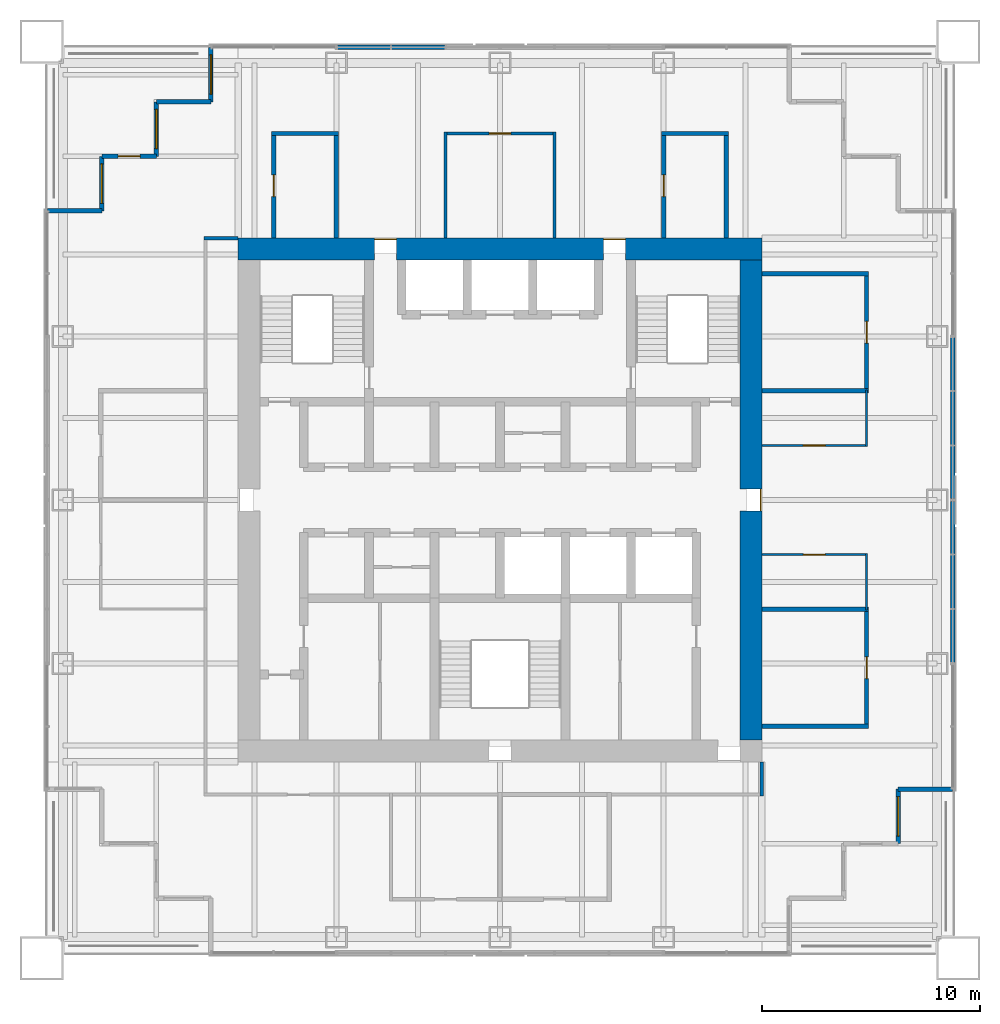
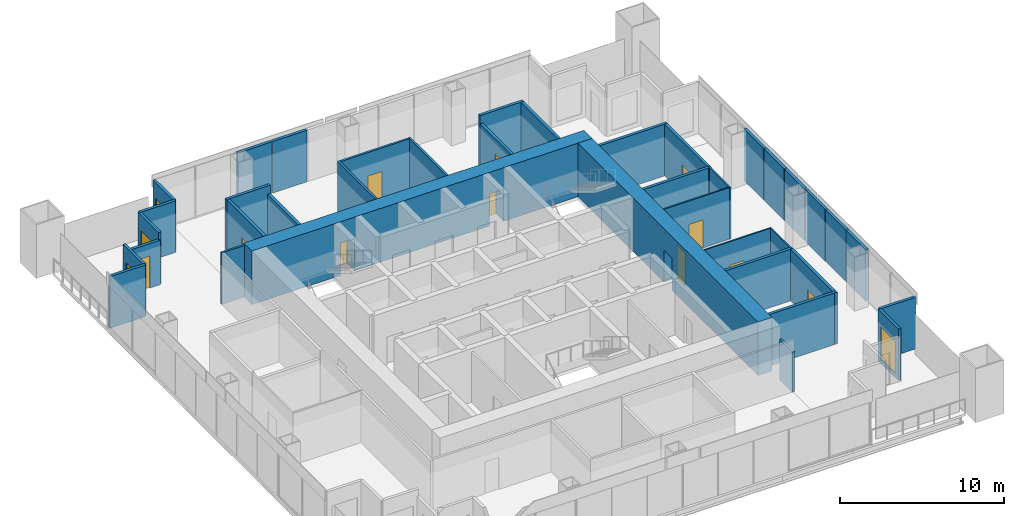
# One storey, part 11 of 14: 39 walls, 11 doors, 4 windows, 15 openings.
"""IFC4 building model written with IfcOpenShell, lengths in metres."""

from ifc_helpers import new_model, si_unit, direction, frame, frame_2d, origin, place, context, subcontext, project, spatial, rectangle, extrude, material, layer, layer_set, type_object, element, fill, save


model = new_model("IFC4")

# Units and contexts
model_context = context("Model", 3, precision=1e-05, world=origin(), true_north=direction((0.0, 1.0)))
body_context = subcontext(model_context, "Body", "Model", "MODEL_VIEW")
ifc_project = project(units=[si_unit("LENGTHUNIT", "METRE"), si_unit("AREAUNIT", "SQUARE_METRE"), si_unit("VOLUMEUNIT", "CUBIC_METRE"), si_unit("PLANEANGLEUNIT", "RADIAN"), si_unit("MASSUNIT", "GRAM", prefix="KILO")], contexts=[model_context])

# Site, building, storey
site_placement = place(None, origin())
site = spatial("IfcSite", under=ifc_project, at=site_placement, CompositionType="ELEMENT")
building_placement = place(site_placement, origin())
building = spatial("IfcBuilding", under=site, at=building_placement, Name="Tarangal Relay Tower", CompositionType="ELEMENT")
storey_placement = place(building_placement, frame((0.0, 0.0, 311.89990234375)))
storey = spatial("IfcBuildingStorey", under=building, at=storey_placement, Name="L69", CompositionType="ELEMENT", Elevation=311.89990234375)

# Walls
ifc_material_1 = material(Name="Two layers gypsum board each side on twin steel studs, mineral wool", Category="steel")
ifc_layer_1 = layer(ifc_material_1, 0.199951171875)
ifc_layer_set_1 = layer_set([ifc_layer_1], Name="Acoustic partition 200")
wall_type_1 = type_object("IfcWallType", Name="Acoustic partition 200", PredefinedType="PARTITIONING", material=ifc_layer_set_1)
for number, where, z_axis, x_axis, name in (
    (1, (12.0, -10.375, 0.0), (0.0, 0.0, 1.0), (1.0, 0.0, 0.0), "Partition PT2 L69"),
    (2, (12.0, -5.0, 0.0), (0.0, 0.0, 1.0), (1.0, 0.0, 0.0), "Partition PT2 L69"),
    (3, (12.0, 5.0, 0.0), (0.0, 0.0, 1.0), (1.0, 0.0, 0.0), "Partition PT2 L69"),
    (4, (12.0, 10.375, 0.0), (0.0, 0.0, 1.0), (1.0, 0.0, 0.0), "Partition PT2 L69"),
):
    element("IfcWall", number, at=place(storey_placement, frame(where, z_axis=z_axis, x_axis=x_axis)), inside=storey, type_object=wall_type_1, Name=name, PredefinedType="PARTITIONING", context=body_context, shape_type="SweptSolid", body=[
        extrude(rectangle(XDim=4.89990234375, YDim=0.199951171875, at=frame_2d((2.449951171875, 0.0))), origin(), (0.0, 0.0, 1.0), 3.85009765625),
    ])
for number, where, z_axis, x_axis, name in (
    (5, (-10.47509765625, 16.800048828125, 0.0), (0.0, 0.0, 1.0), (1.0, 0.0, 0.0), "Partition PT2 L69"),
    (6, (7.39990234375, 16.800048828125, 0.0), (0.0, 0.0, 1.0), (1.0, 0.0, 0.0), "Partition PT2 L69"),
):
    element("IfcWall", number, at=place(storey_placement, frame(where, z_axis=z_axis, x_axis=x_axis)), inside=storey, type_object=wall_type_1, Name=name, PredefinedType="PARTITIONING", context=body_context, shape_type="SweptSolid", body=[
        extrude(rectangle(XDim=3.0751953125, YDim=0.199951171875, at=frame_2d((1.53759765625, 0.0))), origin(), (0.0, 0.0, 1.0), 3.85009765625),
    ])

# Wall, opening, door
wall_1_placement = place(storey_placement, frame((-10.375, 12.0, 0.0), z_axis=(0.0, 0.0, 1.0), x_axis=(0.0, 1.0, 0.0)))
wall_1 = element("IfcWall", 7, at=wall_1_placement, inside=storey, type_object=wall_type_1, Name="Partition PT2 L69", PredefinedType="PARTITIONING", context=body_context, shape_type="SweptSolid", body=[
    extrude(rectangle(XDim=4.89990234375, YDim=0.199951171875, at=frame_2d((2.449951171875, 0.0))), origin(), (0.0, 0.0, 1.0), 3.85009765625),
])
opening_1_placement = place(wall_1_placement, frame((1.89990234375, 0.0, 0.0)))
opening_1 = element("IfcOpeningElement", 8, at=opening_1_placement, cuts=wall_1, Name="Opening D2", PredefinedType="OPENING", context=body_context, shape_type="SweptSolid", body=[
    extrude(rectangle(XDim=1.0, YDim=2.10009765625, at=frame_2d((0.5, 1.050048828125))), frame((0.0, 0.10986328125, 0.0), z_axis=(0.0, -1.0, 0.0), x_axis=(1.0, 0.0, 0.0)), (0.0, 0.0, 1.0), 0.219970703125),
])
ifc_material_2 = material(Name="Hardwood door", Category="wood")
door_type_1 = type_object("IfcDoorType", Name="Door 1000 x 2100", OperationType="SINGLE_SWING_LEFT", PredefinedType="DOOR", material=ifc_material_2)
door_1_placement = place(opening_1_placement, origin())
door_1 = element("IfcDoor", 9, at=door_1_placement, inside=storey, type_object=door_type_1, Name="Door D2 to phone room L69-02", OperationType="SINGLE_SWING_LEFT", OverallHeight=2.10009765625, OverallWidth=1.0, PredefinedType="DOOR", context=body_context, shape_type="SweptSolid", body=[
    extrude(rectangle(XDim=1.0, YDim=2.10009765625, at=frame_2d((0.5, 1.050048828125))), frame((0.0, 0.02490234375, 0.0), z_axis=(0.0, -1.0, 0.0), x_axis=(1.0, 0.0, 0.0)), (0.0, 0.0, 1.0), 0.050048828125),
])
fill(opening_1, door_1)

# Wall
wall_2_placement = place(storey_placement, frame((-7.5, 12.0, 0.0), z_axis=(0.0, 0.0, 1.0), x_axis=(0.0, 1.0, 0.0)))
element("IfcWall", 10, at=wall_2_placement, inside=storey, type_object=wall_type_1, Name="Partition PT2 L69", PredefinedType="PARTITIONING", context=body_context, shape_type="SweptSolid", body=[
    extrude(rectangle(XDim=4.89990234375, YDim=0.199951171875, at=frame_2d((2.449951171875, 0.0))), origin(), (0.0, 0.0, 1.0), 3.2431640625),
])

# Wall, opening, door
wall_3_placement = place(storey_placement, frame((7.5, 12.0, 0.0), z_axis=(0.0, 0.0, 1.0), x_axis=(0.0, 1.0, 0.0)))
wall_3 = element("IfcWall", 11, at=wall_3_placement, inside=storey, type_object=wall_type_1, Name="Partition PT2 L69", PredefinedType="PARTITIONING", context=body_context, shape_type="SweptSolid", body=[
    extrude(rectangle(XDim=4.89990234375, YDim=0.199951171875, at=frame_2d((2.449951171875, 0.0))), origin(), (0.0, 0.0, 1.0), 3.2431640625),
])
opening_2_placement = place(wall_3_placement, frame((1.89990234375, 0.0, 0.0)))
opening_2 = element("IfcOpeningElement", 12, at=opening_2_placement, cuts=wall_3, Name="Opening D2", PredefinedType="OPENING", context=body_context, shape_type="SweptSolid", body=[
    extrude(rectangle(XDim=1.0, YDim=2.10009765625, at=frame_2d((0.5, 1.050048828125))), frame((0.0, 0.10986328125, 0.0), z_axis=(0.0, -1.0, 0.0), x_axis=(1.0, 0.0, 0.0)), (0.0, 0.0, 1.0), 0.219970703125),
])
door_2_placement = place(opening_2_placement, origin())
door_2 = element("IfcDoor", 13, at=door_2_placement, inside=storey, type_object=door_type_1, Name="Door D2 to phone room L69-04", OperationType="SINGLE_SWING_LEFT", OverallHeight=2.10009765625, OverallWidth=1.0, PredefinedType="DOOR", context=body_context, shape_type="SweptSolid", body=[
    extrude(rectangle(XDim=1.0, YDim=2.10009765625, at=frame_2d((0.5, 1.050048828125))), frame((0.0, 0.02490234375, 0.0), z_axis=(0.0, -1.0, 0.0), x_axis=(1.0, 0.0, 0.0)), (0.0, 0.0, 1.0), 0.050048828125),
])
fill(opening_2, door_2)

# Wall
wall_4_placement = place(storey_placement, frame((10.375, 12.0, 0.0), z_axis=(0.0, 0.0, 1.0), x_axis=(0.0, 1.0, 0.0)))
element("IfcWall", 14, at=wall_4_placement, inside=storey, type_object=wall_type_1, Name="Partition PT2 L69", PredefinedType="PARTITIONING", context=body_context, shape_type="SweptSolid", body=[
    extrude(rectangle(XDim=4.89990234375, YDim=0.199951171875, at=frame_2d((2.449951171875, 0.0))), origin(), (0.0, 0.0, 1.0), 3.85009765625),
])

# Wall, opening, door
wall_5_placement = place(storey_placement, frame((16.800048828125, -10.47509765625, 0.0), z_axis=(0.0, 0.0, 1.0), x_axis=(0.0, 1.0, 0.0)))
wall_5 = element("IfcWall", 15, at=wall_5_placement, inside=storey, type_object=wall_type_1, Name="Partition PT2 L69", PredefinedType="PARTITIONING", context=body_context, shape_type="SweptSolid", body=[
    extrude(rectangle(XDim=5.5751953125, YDim=0.199951171875, at=frame_2d((2.78759765625, 0.0))), origin(), (0.0, 0.0, 1.0), 3.85009765625),
])
opening_3_placement = place(wall_5_placement, frame((2.28759765625, 0.0, 0.0)))
opening_3 = element("IfcOpeningElement", 16, at=opening_3_placement, cuts=wall_5, Name="Opening D2", PredefinedType="OPENING", context=body_context, shape_type="SweptSolid", body=[
    extrude(rectangle(XDim=1.0, YDim=2.10009765625, at=frame_2d((0.5, 1.050048828125))), frame((0.0, 0.10986328125, 0.0), z_axis=(0.0, -1.0, 0.0), x_axis=(1.0, 0.0, 0.0)), (0.0, 0.0, 1.0), 0.219970703125),
])
door_3_placement = place(opening_3_placement, origin())
door_3 = element("IfcDoor", 17, at=door_3_placement, inside=storey, type_object=door_type_1, Name="Door D2 to meeting room L69-08", OperationType="SINGLE_SWING_LEFT", OverallHeight=2.10009765625, OverallWidth=1.0, PredefinedType="DOOR", context=body_context, shape_type="SweptSolid", body=[
    extrude(rectangle(XDim=1.0, YDim=2.10009765625, at=frame_2d((0.5, 1.050048828125))), frame((0.0, 0.02490234375, 0.0), z_axis=(0.0, -1.0, 0.0), x_axis=(1.0, 0.0, 0.0)), (0.0, 0.0, 1.0), 0.050048828125),
])
fill(opening_3, door_3)

wall_6_placement = place(storey_placement, frame((16.800048828125, 4.89990234375, 0.0), z_axis=(0.0, 0.0, 1.0), x_axis=(0.0, 1.0, 0.0)))
wall_6 = element("IfcWall", 18, at=wall_6_placement, inside=storey, type_object=wall_type_1, Name="Partition PT2 L69", PredefinedType="PARTITIONING", context=body_context, shape_type="SweptSolid", body=[
    extrude(rectangle(XDim=5.5751953125, YDim=0.199951171875, at=frame_2d((2.78759765625, 0.0))), origin(), (0.0, 0.0, 1.0), 3.85009765625),
])
opening_4_placement = place(wall_6_placement, frame((2.28759765625, 0.0, 0.0)))
opening_4 = element("IfcOpeningElement", 19, at=opening_4_placement, cuts=wall_6, Name="Opening D2", PredefinedType="OPENING", context=body_context, shape_type="SweptSolid", body=[
    extrude(rectangle(XDim=1.0, YDim=2.10009765625, at=frame_2d((0.5, 1.050048828125))), frame((0.0, 0.10986328125, 0.0), z_axis=(0.0, -1.0, 0.0), x_axis=(1.0, 0.0, 0.0)), (0.0, 0.0, 1.0), 0.219970703125),
])
door_4_placement = place(opening_4_placement, origin())
door_4 = element("IfcDoor", 20, at=door_4_placement, inside=storey, type_object=door_type_1, Name="Door D2 to meeting room L69-05", OperationType="SINGLE_SWING_LEFT", OverallHeight=2.10009765625, OverallWidth=1.0, PredefinedType="DOOR", context=body_context, shape_type="SweptSolid", body=[
    extrude(rectangle(XDim=1.0, YDim=2.10009765625, at=frame_2d((0.5, 1.050048828125))), frame((0.0, 0.02490234375, 0.0), z_axis=(0.0, -1.0, 0.0), x_axis=(1.0, 0.0, 0.0)), (0.0, 0.0, 1.0), 0.050048828125),
])
fill(opening_4, door_4)

# Wall, openings, doors
ifc_material_3 = material(Name="Concrete fc' 60 MPa", Category="concrete")
ifc_layer_2 = layer(ifc_material_3, 1.0)
ifc_layer_set_2 = layer_set([ifc_layer_2], Name="Core wall 1000")
wall_type_2 = type_object("IfcWallType", Name="Core wall 1000", PredefinedType="SHEAR", material=ifc_layer_set_2)
wall_7_placement = place(storey_placement, frame((-12.0, 11.5, 0.0), z_axis=(0.0, 0.0, 1.0), x_axis=(1.0, 0.0, 0.0)))
wall_7 = element("IfcWall", 21, at=wall_7_placement, inside=storey, type_object=wall_type_2, Name="Core wall N L69", PredefinedType="SHEAR", context=body_context, shape_type="SweptSolid", body=[
    extrude(rectangle(XDim=24.0, YDim=1.0, at=frame_2d((12.0, 0.0))), origin(), (0.0, 0.0, 1.0), 4.0),
])
opening_5_placement = place(wall_7_placement, frame((6.25, 0.0, 0.0)))
opening_5 = element("IfcOpeningElement", 22, at=opening_5_placement, cuts=wall_7, Name="Opening FD3", PredefinedType="OPENING", context=body_context, shape_type="SweptSolid", body=[
    extrude(rectangle(XDim=1.0, YDim=2.39990234375, at=frame_2d((0.5, 1.199951171875))), frame((0.0, 0.510009765625, 0.0), z_axis=(0.0, -1.0, 0.0), x_axis=(1.0, 0.0, 0.0)), (0.0, 0.0, 1.0), 1.02001953125),
])
opening_6_placement = place(wall_7_placement, frame((16.75, 0.0, 0.0)))
opening_6 = element("IfcOpeningElement", 23, at=opening_6_placement, cuts=wall_7, Name="Opening FD3", PredefinedType="OPENING", context=body_context, shape_type="SweptSolid", body=[
    extrude(rectangle(XDim=1.0, YDim=2.39990234375, at=frame_2d((0.5, 1.199951171875))), frame((0.0, 0.510009765625, 0.0), z_axis=(0.0, -1.0, 0.0), x_axis=(1.0, 0.0, 0.0)), (0.0, 0.0, 1.0), 1.02001953125),
])
ifc_material_4 = material(Name="Steel door with hardwood frame", Category="steel")
door_type_2 = type_object("IfcDoorType", Name="Fire door 1000 x 2400 core entry", OperationType="SINGLE_SWING_RIGHT", PredefinedType="DOOR", material=ifc_material_4)
door_5_placement = place(opening_5_placement, origin())
door_5 = element("IfcDoor", 24, at=door_5_placement, inside=storey, type_object=door_type_2, Name="Core entry door north west L69", OperationType="SINGLE_SWING_RIGHT", OverallHeight=2.39990234375, OverallWidth=1.0, PredefinedType="DOOR", context=body_context, shape_type="SweptSolid", body=[
    extrude(rectangle(XDim=1.0, YDim=2.39990234375, at=frame_2d((0.5, 1.199951171875))), frame((0.0, 0.48486328125, 0.0), z_axis=(0.0, -1.0, 0.0), x_axis=(1.0, 0.0, 0.0)), (0.0, 0.0, 1.0), 0.050048828125),
])
fill(opening_5, door_5)
door_6_placement = place(opening_6_placement, origin())
door_6 = element("IfcDoor", 25, at=door_6_placement, inside=storey, type_object=door_type_2, Name="Core entry door north east L69", OperationType="SINGLE_SWING_RIGHT", OverallHeight=2.39990234375, OverallWidth=1.0, PredefinedType="DOOR", context=body_context, shape_type="SweptSolid", body=[
    extrude(rectangle(XDim=1.0, YDim=2.39990234375, at=frame_2d((0.5, 1.199951171875))), frame((0.0, 0.48486328125, 0.0), z_axis=(0.0, -1.0, 0.0), x_axis=(1.0, 0.0, 0.0)), (0.0, 0.0, 1.0), 0.050048828125),
])
fill(opening_6, door_6)

# Wall, opening, door
wall_8_placement = place(storey_placement, frame((11.5, 11.0, 0.0), z_axis=(0.0, 0.0, 1.0), x_axis=(0.0, -1.0, 0.0)))
wall_8 = element("IfcWall", 26, at=wall_8_placement, inside=storey, type_object=wall_type_2, Name="Core wall E L69", PredefinedType="SHEAR", context=body_context, shape_type="SweptSolid", body=[
    extrude(rectangle(XDim=22.0, YDim=1.0, at=frame_2d((11.0, 0.0))), origin(), (0.0, 0.0, 1.0), 4.0),
])
opening_7_placement = place(wall_8_placement, frame((10.5, 0.0, 0.0)))
opening_7 = element("IfcOpeningElement", 27, at=opening_7_placement, cuts=wall_8, Name="Opening FD3", PredefinedType="OPENING", context=body_context, shape_type="SweptSolid", body=[
    extrude(rectangle(XDim=1.0, YDim=2.39990234375, at=frame_2d((0.5, 1.199951171875))), frame((0.0, 0.510009765625, 0.0), z_axis=(0.0, -1.0, 0.0), x_axis=(1.0, 0.0, 0.0)), (0.0, 0.0, 1.0), 1.02001953125),
])
door_7_placement = place(opening_7_placement, origin())
door_7 = element("IfcDoor", 28, at=door_7_placement, inside=storey, type_object=door_type_2, Name="Core entry door east L69", OperationType="SINGLE_SWING_RIGHT", OverallHeight=2.39990234375, OverallWidth=1.0, PredefinedType="DOOR", context=body_context, shape_type="SweptSolid", body=[
    extrude(rectangle(XDim=1.0, YDim=2.39990234375, at=frame_2d((0.5, 1.199951171875))), frame((0.0, 0.48486328125, 0.0), z_axis=(0.0, -1.0, 0.0), x_axis=(1.0, 0.0, 0.0)), (0.0, 0.0, 1.0), 0.050048828125),
])
fill(opening_7, door_7)

# Wall
ifc_material_5 = material(Name="Black metal clad insulated wall", Category="steel")
ifc_layer_3 = layer(ifc_material_5, 0.199951171875)
ifc_layer_set_3 = layer_set([ifc_layer_3], Name="Corner wall metal clad 200")
wall_type_3 = type_object("IfcWallType", Name="Corner wall metal clad 200", PredefinedType="SOLIDWALL", material=ifc_layer_set_3)
wall_9_placement = place(storey_placement, frame((20.75, -13.25, 0.0), z_axis=(0.0, 0.0, 1.0), x_axis=(-1.0, 0.0, 0.0)))
element("IfcWall", 29, at=wall_9_placement, inside=storey, type_object=wall_type_3, Name="Facade wall E facade L69", PredefinedType="SOLIDWALL", context=body_context, shape_type="SweptSolid", body=[
    extrude(rectangle(XDim=2.5, YDim=0.199951171875, at=frame_2d((1.25, 0.0))), origin(), (0.0, 0.0, 1.0), 3.85009765625),
])

# Wall, opening, window
wall_10_placement = place(storey_placement, frame((18.25, -13.25, 0.0), z_axis=(0.0, 0.0, 1.0), x_axis=(0.0, -1.0, 0.0)))
wall_10 = element("IfcWall", 30, at=wall_10_placement, inside=storey, type_object=wall_type_3, Name="Facade wall E facade L69", PredefinedType="SOLIDWALL", context=body_context, shape_type="SweptSolid", body=[
    extrude(rectangle(XDim=2.5, YDim=0.199951171875, at=frame_2d((1.25, 0.0))), origin(), (0.0, 0.0, 1.0), 3.85009765625),
])
opening_8_placement = place(wall_10_placement, frame((0.35009765625, 0.0, 0.300048828125)))
opening_8 = element("IfcOpeningElement", 31, at=opening_8_placement, cuts=wall_10, Name="Opening WN2", PredefinedType="OPENING", context=body_context, shape_type="SweptSolid", body=[
    extrude(rectangle(XDim=1.800048828125, YDim=2.39990234375, at=frame_2d((0.89990234375, 1.199951171875))), frame((0.0, 0.10986328125, 0.0), z_axis=(0.0, -1.0, 0.0), x_axis=(1.0, 0.0, 0.0)), (0.0, 0.0, 1.0), 0.219970703125),
])
ifc_material_6 = material(Name="Dark tinted double glazing in black aluminium frame", Category="aluminium")
window_type = type_object("IfcWindowType", Name="Corner window 1800 x 2400", PartitioningType="SINGLE_PANEL", PredefinedType="WINDOW", material=ifc_material_6)
window_1_placement = place(opening_8_placement, origin())
window_1 = element("IfcWindow", 32, at=window_1_placement, inside=storey, type_object=window_type, Name="Corner window WN2 E facade L69", OverallHeight=2.39990234375, OverallWidth=1.800048828125, PartitioningType="SINGLE_PANEL", PredefinedType="WINDOW", context=body_context, shape_type="SweptSolid", body=[
    extrude(rectangle(XDim=1.800048828125, YDim=2.39990234375, at=frame_2d((0.89990234375, 1.199951171875))), frame((0.0, 0.030029296875, 0.0), z_axis=(0.0, -1.0, 0.0), x_axis=(1.0, 0.0, 0.0)), (0.0, 0.0, 1.0), 0.06005859375),
])
fill(opening_8, window_1)

# Wall
wall_11_placement = place(storey_placement, frame((-20.75, 13.25, 0.0), z_axis=(0.0, 0.0, 1.0), x_axis=(1.0, 0.0, 0.0)))
element("IfcWall", 33, at=wall_11_placement, inside=storey, type_object=wall_type_3, Name="Facade wall W facade L69", PredefinedType="SOLIDWALL", context=body_context, shape_type="SweptSolid", body=[
    extrude(rectangle(XDim=2.5, YDim=0.199951171875, at=frame_2d((1.25, 0.0))), origin(), (0.0, 0.0, 1.0), 3.85009765625),
])

# Wall, opening, window
wall_12_placement = place(storey_placement, frame((-18.25, 13.25, 0.0), z_axis=(0.0, 0.0, 1.0), x_axis=(0.0, 1.0, 0.0)))
wall_12 = element("IfcWall", 34, at=wall_12_placement, inside=storey, type_object=wall_type_3, Name="Facade wall W facade L69", PredefinedType="SOLIDWALL", context=body_context, shape_type="SweptSolid", body=[
    extrude(rectangle(XDim=2.5, YDim=0.199951171875, at=frame_2d((1.25, 0.0))), origin(), (0.0, 0.0, 1.0), 3.85009765625),
])
opening_9_placement = place(wall_12_placement, frame((0.35009765625, 0.0, 0.300048828125)))
opening_9 = element("IfcOpeningElement", 35, at=opening_9_placement, cuts=wall_12, Name="Opening WN2", PredefinedType="OPENING", context=body_context, shape_type="SweptSolid", body=[
    extrude(rectangle(XDim=1.800048828125, YDim=2.39990234375, at=frame_2d((0.89990234375, 1.199951171875))), frame((0.0, 0.10986328125, 0.0), z_axis=(0.0, -1.0, 0.0), x_axis=(1.0, 0.0, 0.0)), (0.0, 0.0, 1.0), 0.219970703125),
])
window_2_placement = place(opening_9_placement, origin())
window_2 = element("IfcWindow", 36, at=window_2_placement, inside=storey, type_object=window_type, Name="Corner window WN2 W facade L69", OverallHeight=2.39990234375, OverallWidth=1.800048828125, PartitioningType="SINGLE_PANEL", PredefinedType="WINDOW", context=body_context, shape_type="SweptSolid", body=[
    extrude(rectangle(XDim=1.800048828125, YDim=2.39990234375, at=frame_2d((0.89990234375, 1.199951171875))), frame((0.0, 0.030029296875, 0.0), z_axis=(0.0, -1.0, 0.0), x_axis=(1.0, 0.0, 0.0)), (0.0, 0.0, 1.0), 0.06005859375),
])
fill(opening_9, window_2)

# Wall, opening, door
wall_13_placement = place(storey_placement, frame((-18.25, 15.75, 0.0), z_axis=(0.0, 0.0, 1.0), x_axis=(1.0, 0.0, 0.0)))
wall_13 = element("IfcWall", 37, at=wall_13_placement, inside=storey, type_object=wall_type_3, Name="Facade wall W facade L69", PredefinedType="SOLIDWALL", context=body_context, shape_type="SweptSolid", body=[
    extrude(rectangle(XDim=2.5, YDim=0.199951171875, at=frame_2d((1.25, 0.0))), origin(), (0.0, 0.0, 1.0), 3.316650390625),
])
opening_10_placement = place(wall_13_placement, frame((0.75, 0.0, 0.0)))
opening_10 = element("IfcOpeningElement", 38, at=opening_10_placement, cuts=wall_13, Name="Opening TD1", PredefinedType="OPENING", context=body_context, shape_type="SweptSolid", body=[
    extrude(rectangle(XDim=1.0, YDim=2.39990234375, at=frame_2d((0.5, 1.199951171875))), frame((0.0, 0.10986328125, 0.0), z_axis=(0.0, -1.0, 0.0), x_axis=(1.0, 0.0, 0.0)), (0.0, 0.0, 1.0), 0.219970703125),
])
ifc_material_7 = material(Name="Aluminium glazed door", Category="aluminium")
door_type_3 = type_object("IfcDoorType", Name="Terrace door 1000 x 2400", OperationType="SINGLE_SWING_RIGHT", PredefinedType="DOOR", material=ifc_material_7)
door_8_placement = place(opening_10_placement, origin())
door_8 = element("IfcDoor", 39, at=door_8_placement, inside=storey, type_object=door_type_3, Name="Terrace door TD1 NW L69", OperationType="SINGLE_SWING_RIGHT", OverallHeight=2.39990234375, OverallWidth=1.0, PredefinedType="DOOR", context=body_context, shape_type="SweptSolid", body=[
    extrude(rectangle(XDim=1.0, YDim=2.39990234375, at=frame_2d((0.5, 1.199951171875))), frame((0.0, 0.02490234375, 0.0), z_axis=(0.0, -1.0, 0.0), x_axis=(1.0, 0.0, 0.0)), (0.0, 0.0, 1.0), 0.050048828125),
])
fill(opening_10, door_8)

# Wall, opening, window
wall_14_placement = place(storey_placement, frame((-15.75, 15.75, 0.0), z_axis=(0.0, 0.0, 1.0), x_axis=(0.0, 1.0, 0.0)))
wall_14 = element("IfcWall", 40, at=wall_14_placement, inside=storey, type_object=wall_type_3, Name="Facade wall W facade L69", PredefinedType="SOLIDWALL", context=body_context, shape_type="SweptSolid", body=[
    extrude(rectangle(XDim=2.5, YDim=0.199951171875, at=frame_2d((1.25, 0.0))), origin(), (0.0, 0.0, 1.0), 3.85009765625),
])
opening_11_placement = place(wall_14_placement, frame((0.35009765625, 0.0, 0.300048828125)))
opening_11 = element("IfcOpeningElement", 41, at=opening_11_placement, cuts=wall_14, Name="Opening WN2", PredefinedType="OPENING", context=body_context, shape_type="SweptSolid", body=[
    extrude(rectangle(XDim=1.800048828125, YDim=2.39990234375, at=frame_2d((0.89990234375, 1.199951171875))), frame((0.0, 0.10986328125, 0.0), z_axis=(0.0, -1.0, 0.0), x_axis=(1.0, 0.0, 0.0)), (0.0, 0.0, 1.0), 0.219970703125),
])
window_3_placement = place(opening_11_placement, origin())
window_3 = element("IfcWindow", 42, at=window_3_placement, inside=storey, type_object=window_type, Name="Corner window WN2 W facade L69", OverallHeight=2.39990234375, OverallWidth=1.800048828125, PartitioningType="SINGLE_PANEL", PredefinedType="WINDOW", context=body_context, shape_type="SweptSolid", body=[
    extrude(rectangle(XDim=1.800048828125, YDim=2.39990234375, at=frame_2d((0.89990234375, 1.199951171875))), frame((0.0, 0.030029296875, 0.0), z_axis=(0.0, -1.0, 0.0), x_axis=(1.0, 0.0, 0.0)), (0.0, 0.0, 1.0), 0.06005859375),
])
fill(opening_11, window_3)

# Wall
wall_15_placement = place(storey_placement, frame((-15.75, 18.25, 0.0), z_axis=(0.0, 0.0, 1.0), x_axis=(1.0, 0.0, 0.0)))
element("IfcWall", 43, at=wall_15_placement, inside=storey, type_object=wall_type_3, Name="Facade wall W facade L69", PredefinedType="SOLIDWALL", context=body_context, shape_type="SweptSolid", body=[
    extrude(rectangle(XDim=2.5, YDim=0.199951171875, at=frame_2d((1.25, 0.0))), origin(), (0.0, 0.0, 1.0), 3.85009765625),
])

# Wall, opening, window
wall_16_placement = place(storey_placement, frame((-13.25, 18.25, 0.0), z_axis=(0.0, 0.0, 1.0), x_axis=(0.0, 1.0, 0.0)))
wall_16 = element("IfcWall", 44, at=wall_16_placement, inside=storey, type_object=wall_type_3, Name="Facade wall W facade L69", PredefinedType="SOLIDWALL", context=body_context, shape_type="SweptSolid", body=[
    extrude(rectangle(XDim=2.5, YDim=0.199951171875, at=frame_2d((1.25, 0.0))), origin(), (0.0, 0.0, 1.0), 3.85009765625),
])
opening_12_placement = place(wall_16_placement, frame((0.35009765625, 0.0, 0.300048828125)))
opening_12 = element("IfcOpeningElement", 45, at=opening_12_placement, cuts=wall_16, Name="Opening WN2", PredefinedType="OPENING", context=body_context, shape_type="SweptSolid", body=[
    extrude(rectangle(XDim=1.800048828125, YDim=2.39990234375, at=frame_2d((0.89990234375, 1.199951171875))), frame((0.0, 0.10986328125, 0.0), z_axis=(0.0, -1.0, 0.0), x_axis=(1.0, 0.0, 0.0)), (0.0, 0.0, 1.0), 0.219970703125),
])
window_4_placement = place(opening_12_placement, origin())
window_4 = element("IfcWindow", 46, at=window_4_placement, inside=storey, type_object=window_type, Name="Corner window WN2 W facade L69", OverallHeight=2.39990234375, OverallWidth=1.800048828125, PartitioningType="SINGLE_PANEL", PredefinedType="WINDOW", context=body_context, shape_type="SweptSolid", body=[
    extrude(rectangle(XDim=1.800048828125, YDim=2.39990234375, at=frame_2d((0.89990234375, 1.199951171875))), frame((0.0, 0.030029296875, 0.0), z_axis=(0.0, -1.0, 0.0), x_axis=(1.0, 0.0, 0.0)), (0.0, 0.0, 1.0), 0.06005859375),
])
fill(opening_12, window_4)

# Walls
ifc_layer_4 = layer(ifc_material_5, 0.199951171875)
ifc_layer_set_4 = layer_set([ifc_layer_4], Name="Facade infill wall metal clad 200")
wall_type_4 = type_object("IfcWallType", Name="Facade infill wall metal clad 200", PredefinedType="SOLIDWALL", material=ifc_layer_set_4)
wall_17_placement = place(storey_placement, frame((-7.43994140625, 20.75, 0.0), z_axis=(0.0, 0.0, 1.0), x_axis=(1.0, 0.0, 0.0)))
element("IfcWall", 47, at=wall_17_placement, inside=storey, type_object=wall_type_4, Name="Facade infill wall N facade L69 1.1", PredefinedType="SOLIDWALL", context=body_context, shape_type="SweptSolid", body=[
    extrude(rectangle(XDim=2.409912109375, YDim=0.199951171875, at=frame_2d((1.205078125, 0.0))), origin(), (0.0, 0.0, 1.0), 3.85009765625),
])
wall_18_placement = place(storey_placement, frame((-4.969970703125, 20.75, 0.0), z_axis=(0.0, 0.0, 1.0), x_axis=(1.0, 0.0, 0.0)))
element("IfcWall", 48, at=wall_18_placement, inside=storey, type_object=wall_type_4, Name="Facade infill wall N facade L69 2.1", PredefinedType="SOLIDWALL", context=body_context, shape_type="SweptSolid", body=[
    extrude(rectangle(XDim=2.43994140625, YDim=0.199951171875, at=frame_2d((1.219970703125, 0.0))), origin(), (0.0, 0.0, 1.0), 3.85009765625),
])
wall_19_placement = place(storey_placement, frame((20.75, 7.43994140625, 0.0), z_axis=(0.0, 0.0, 1.0), x_axis=(0.0, -1.0, 0.0)))
element("IfcWall", 49, at=wall_19_placement, inside=storey, type_object=wall_type_4, Name="Facade infill wall E facade L69 1.1", PredefinedType="SOLIDWALL", context=body_context, shape_type="SweptSolid", body=[
    extrude(rectangle(XDim=2.409912109375, YDim=0.199951171875, at=frame_2d((1.205078125, 0.0))), origin(), (0.0, 0.0, 1.0), 3.85009765625),
])
wall_20_placement = place(storey_placement, frame((20.75, 4.969970703125, 0.0), z_axis=(0.0, 0.0, 1.0), x_axis=(0.0, -1.0, 0.0)))
element("IfcWall", 50, at=wall_20_placement, inside=storey, type_object=wall_type_4, Name="Facade infill wall E facade L69 2.1", PredefinedType="SOLIDWALL", context=body_context, shape_type="SweptSolid", body=[
    extrude(rectangle(XDim=2.43994140625, YDim=0.199951171875, at=frame_2d((1.219970703125, 0.0))), origin(), (0.0, 0.0, 1.0), 3.85009765625),
])
for number, where, z_axis, x_axis, name in (
    (51, (20.75, 2.469970703125, 0.0), (0.0, 0.0, 1.0), (0.0, -1.0, 0.0), "Facade infill wall E facade L69 3.1"),
    (52, (20.75, -0.06005859375, 0.0), (0.0, 0.0, 1.0), (0.0, -1.0, 0.0), "Facade infill wall E facade L69 1.1"),
):
    element("IfcWall", number, at=place(storey_placement, frame(where, z_axis=z_axis, x_axis=x_axis)), inside=storey, type_object=wall_type_4, Name=name, PredefinedType="SOLIDWALL", context=body_context, shape_type="SweptSolid", body=[
        extrude(rectangle(XDim=2.409912109375, YDim=0.199951171875, at=frame_2d((1.205078125, 0.0))), origin(), (0.0, 0.0, 1.0), 3.85009765625),
    ])
wall_21_placement = place(storey_placement, frame((20.75, -2.530029296875, 0.0), z_axis=(0.0, 0.0, 1.0), x_axis=(0.0, -1.0, 0.0)))
element("IfcWall", 53, at=wall_21_placement, inside=storey, type_object=wall_type_4, Name="Facade infill wall E facade L69 2.1", PredefinedType="SOLIDWALL", context=body_context, shape_type="SweptSolid", body=[
    extrude(rectangle(XDim=2.43994140625, YDim=0.199951171875, at=frame_2d((1.219970703125, 0.0))), origin(), (0.0, 0.0, 1.0), 3.85009765625),
])
wall_22_placement = place(storey_placement, frame((20.75, -5.030029296875, 0.0), z_axis=(0.0, 0.0, 1.0), x_axis=(0.0, -1.0, 0.0)))
element("IfcWall", 54, at=wall_22_placement, inside=storey, type_object=wall_type_4, Name="Facade infill wall E facade L69 3.1", PredefinedType="SOLIDWALL", context=body_context, shape_type="SweptSolid", body=[
    extrude(rectangle(XDim=2.409912109375, YDim=0.199951171875, at=frame_2d((1.205078125, 0.0))), origin(), (0.0, 0.0, 1.0), 3.85009765625),
])

# Wall, opening, door
ifc_material_8 = material(Name="Double glazed aluminium framed partition", Category="aluminium")
ifc_layer_5 = layer(ifc_material_8, 0.10009765625)
ifc_layer_set_5 = layer_set([ifc_layer_5], Name="Glazed partition 100")
wall_type_5 = type_object("IfcWallType", Name="Glazed partition 100", PredefinedType="PARTITIONING", material=ifc_layer_set_5)
wall_23_placement = place(storey_placement, frame((12.0, -2.5, 0.0), z_axis=(0.0, 0.0, 1.0), x_axis=(1.0, 0.0, 0.0)))
wall_23 = element("IfcWall", 55, at=wall_23_placement, inside=storey, type_object=wall_type_5, Name="Partition PT3 L69", PredefinedType="PARTITIONING", context=body_context, shape_type="SweptSolid", body=[
    extrude(rectangle(XDim=4.85009765625, YDim=0.10009765625, at=frame_2d((2.425048828125, 0.0))), origin(), (0.0, 0.0, 1.0), 3.85009765625),
])
opening_13_placement = place(wall_23_placement, frame((1.89990234375, 0.0, 0.0)))
opening_13 = element("IfcOpeningElement", 56, at=opening_13_placement, cuts=wall_23, Name="Opening D3", PredefinedType="OPENING", context=body_context, shape_type="SweptSolid", body=[
    extrude(rectangle(XDim=1.0, YDim=2.10009765625, at=frame_2d((0.5, 1.050048828125))), frame((0.0, 0.06005859375, 0.0), z_axis=(0.0, -1.0, 0.0), x_axis=(1.0, 0.0, 0.0)), (0.0, 0.0, 1.0), 0.1201171875),
])
ifc_material_9 = material(Name="Frameless glass door", Category="glass")
door_type_4 = type_object("IfcDoorType", Name="Glazed door 1000 x 2100", OperationType="SINGLE_SWING_LEFT", PredefinedType="DOOR", material=ifc_material_9)
door_9_placement = place(opening_13_placement, origin())
door_9 = element("IfcDoor", 57, at=door_9_placement, inside=storey, type_object=door_type_4, Name="Door D3 to meeting room L69-07", OperationType="SINGLE_SWING_LEFT", OverallHeight=2.10009765625, OverallWidth=1.0, PredefinedType="DOOR", context=body_context, shape_type="SweptSolid", body=[
    extrude(rectangle(XDim=1.0, YDim=2.10009765625, at=frame_2d((0.5, 1.050048828125))), frame((0.0, 0.02490234375, 0.0), z_axis=(0.0, -1.0, 0.0), x_axis=(1.0, 0.0, 0.0)), (0.0, 0.0, 1.0), 0.050048828125),
])
fill(opening_13, door_9)

wall_24_placement = place(storey_placement, frame((12.0, 2.5, 0.0), z_axis=(0.0, 0.0, 1.0), x_axis=(1.0, 0.0, 0.0)))
wall_24 = element("IfcWall", 58, at=wall_24_placement, inside=storey, type_object=wall_type_5, Name="Partition PT3 L69", PredefinedType="PARTITIONING", context=body_context, shape_type="SweptSolid", body=[
    extrude(rectangle(XDim=4.85009765625, YDim=0.10009765625, at=frame_2d((2.425048828125, 0.0))), origin(), (0.0, 0.0, 1.0), 3.85009765625),
])
opening_14_placement = place(wall_24_placement, frame((1.89990234375, 0.0, 0.0)))
opening_14 = element("IfcOpeningElement", 59, at=opening_14_placement, cuts=wall_24, Name="Opening D3", PredefinedType="OPENING", context=body_context, shape_type="SweptSolid", body=[
    extrude(rectangle(XDim=1.0, YDim=2.10009765625, at=frame_2d((0.5, 1.050048828125))), frame((0.0, 0.06005859375, 0.0), z_axis=(0.0, -1.0, 0.0), x_axis=(1.0, 0.0, 0.0)), (0.0, 0.0, 1.0), 0.1201171875),
])
door_10_placement = place(opening_14_placement, origin())
door_10 = element("IfcDoor", 60, at=door_10_placement, inside=storey, type_object=door_type_4, Name="Door D3 to meeting room L69-06", OperationType="SINGLE_SWING_LEFT", OverallHeight=2.10009765625, OverallWidth=1.0, PredefinedType="DOOR", context=body_context, shape_type="SweptSolid", body=[
    extrude(rectangle(XDim=1.0, YDim=2.10009765625, at=frame_2d((0.5, 1.050048828125))), frame((0.0, 0.02490234375, 0.0), z_axis=(0.0, -1.0, 0.0), x_axis=(1.0, 0.0, 0.0)), (0.0, 0.0, 1.0), 0.050048828125),
])
fill(opening_14, door_10)

# Walls
for number, where, z_axis, x_axis, name in (
    (61, (16.800048828125, -5.050048828125, 0.0), (0.0, 0.0, 1.0), (0.0, 1.0, 0.0), "Partition PT3 L69"),
    (62, (16.800048828125, 2.449951171875, 0.0), (0.0, 0.0, 1.0), (0.0, 1.0, 0.0), "Partition PT3 L69"),
):
    element("IfcWall", number, at=place(storey_placement, frame(where, z_axis=z_axis, x_axis=x_axis)), inside=storey, type_object=wall_type_5, Name=name, PredefinedType="PARTITIONING", context=body_context, shape_type="SweptSolid", body=[
        extrude(rectangle(XDim=2.60009765625, YDim=0.10009765625, at=frame_2d((1.300048828125, 0.0))), origin(), (0.0, 0.0, 1.0), 3.85009765625),
    ])
ifc_material_10 = material(Name="Gypsum board on steel studs", Category="steel")
ifc_layer_6 = layer(ifc_material_10, 0.14990234375)
ifc_layer_set_6 = layer_set([ifc_layer_6], Name="Partition 150")
wall_type_6 = type_object("IfcWallType", Name="Partition 150", PredefinedType="PARTITIONING", material=ifc_layer_set_6)
wall_25_placement = place(storey_placement, frame((-13.574951171875, 12.0, 0.0), z_axis=(0.0, 0.0, 1.0), x_axis=(1.0, 0.0, 0.0)))
element("IfcWall", 63, at=wall_25_placement, inside=storey, type_object=wall_type_6, Name="Partition PT1 L69", PredefinedType="PARTITIONING", context=body_context, shape_type="SweptSolid", body=[
    extrude(rectangle(XDim=1.574951171875, YDim=0.14990234375, at=frame_2d((0.78759765625, 0.0))), origin(), (0.0, 0.0, 1.0), 3.85009765625),
])

# Wall, opening, door
wall_26_placement = place(storey_placement, frame((-2.574951171875, 16.800048828125, 0.0), z_axis=(0.0, 0.0, 1.0), x_axis=(1.0, 0.0, 0.0)))
wall_26 = element("IfcWall", 64, at=wall_26_placement, inside=storey, type_object=wall_type_6, Name="Partition PT1 L69", PredefinedType="PARTITIONING", context=body_context, shape_type="SweptSolid", body=[
    extrude(rectangle(XDim=5.14990234375, YDim=0.14990234375, at=frame_2d((2.574951171875, 0.0))), origin(), (0.0, 0.0, 1.0), 3.85009765625),
])
opening_15_placement = place(wall_26_placement, frame((2.074951171875, 0.0, 0.0)))
opening_15 = element("IfcOpeningElement", 65, at=opening_15_placement, cuts=wall_26, Name="Opening D2", PredefinedType="OPENING", context=body_context, shape_type="SweptSolid", body=[
    extrude(rectangle(XDim=1.0, YDim=2.10009765625, at=frame_2d((0.5, 1.050048828125))), frame((0.0, 0.0849609375, 0.0), z_axis=(0.0, -1.0, 0.0), x_axis=(1.0, 0.0, 0.0)), (0.0, 0.0, 1.0), 0.169921875),
])
door_11_placement = place(opening_15_placement, origin())
door_11 = element("IfcDoor", 66, at=door_11_placement, inside=storey, type_object=door_type_1, Name="Door D2 to tea pantry L69-03", OperationType="SINGLE_SWING_LEFT", OverallHeight=2.10009765625, OverallWidth=1.0, PredefinedType="DOOR", context=body_context, shape_type="SweptSolid", body=[
    extrude(rectangle(XDim=1.0, YDim=2.10009765625, at=frame_2d((0.5, 1.050048828125))), frame((0.0, 0.02490234375, 0.0), z_axis=(0.0, -1.0, 0.0), x_axis=(1.0, 0.0, 0.0)), (0.0, 0.0, 1.0), 0.050048828125),
])
fill(opening_15, door_11)

# Walls
for number, where, z_axis, x_axis, name in (
    (67, (-2.5, 12.0, 0.0), (0.0, 0.0, 1.0), (0.0, 1.0, 0.0), "Partition PT1 L69"),
    (68, (2.5, 12.0, 0.0), (0.0, 0.0, 1.0), (0.0, 1.0, 0.0), "Partition PT1 L69"),
):
    element("IfcWall", number, at=place(storey_placement, frame(where, z_axis=z_axis, x_axis=x_axis)), inside=storey, type_object=wall_type_6, Name=name, PredefinedType="PARTITIONING", context=body_context, shape_type="SweptSolid", body=[
        extrude(rectangle(XDim=4.875, YDim=0.14990234375, at=frame_2d((2.4375, 0.0))), origin(), (0.0, 0.0, 1.0), 3.85009765625),
    ])
wall_27_placement = place(storey_placement, frame((12.0, -13.574951171875, 0.0), z_axis=(0.0, 0.0, 1.0), x_axis=(0.0, 1.0, 0.0)))
element("IfcWall", 69, at=wall_27_placement, inside=storey, type_object=wall_type_6, Name="Partition PT1 L69", PredefinedType="PARTITIONING", context=body_context, shape_type="SweptSolid", body=[
    extrude(rectangle(XDim=1.574951171875, YDim=0.14990234375, at=frame_2d((0.78759765625, 0.0))), origin(), (0.0, 0.0, 1.0), 3.009521484375),
])

save(model, "model.ifc")
